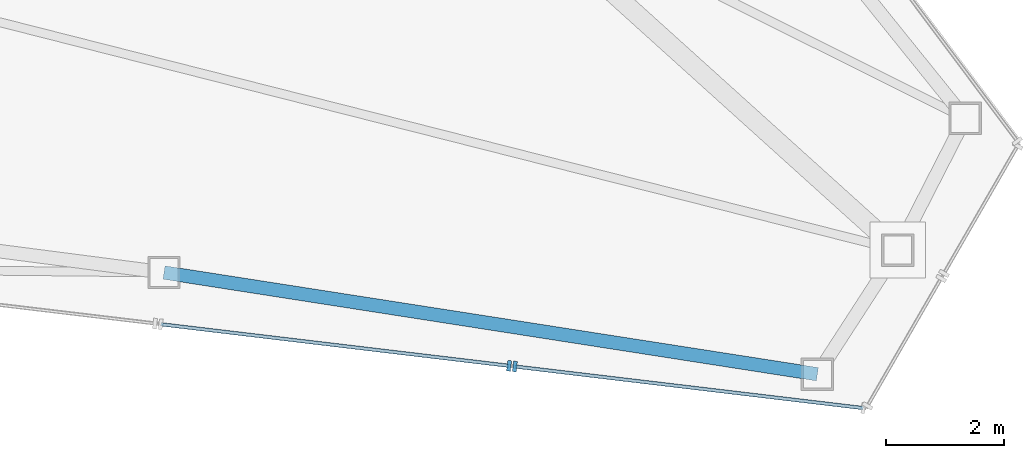
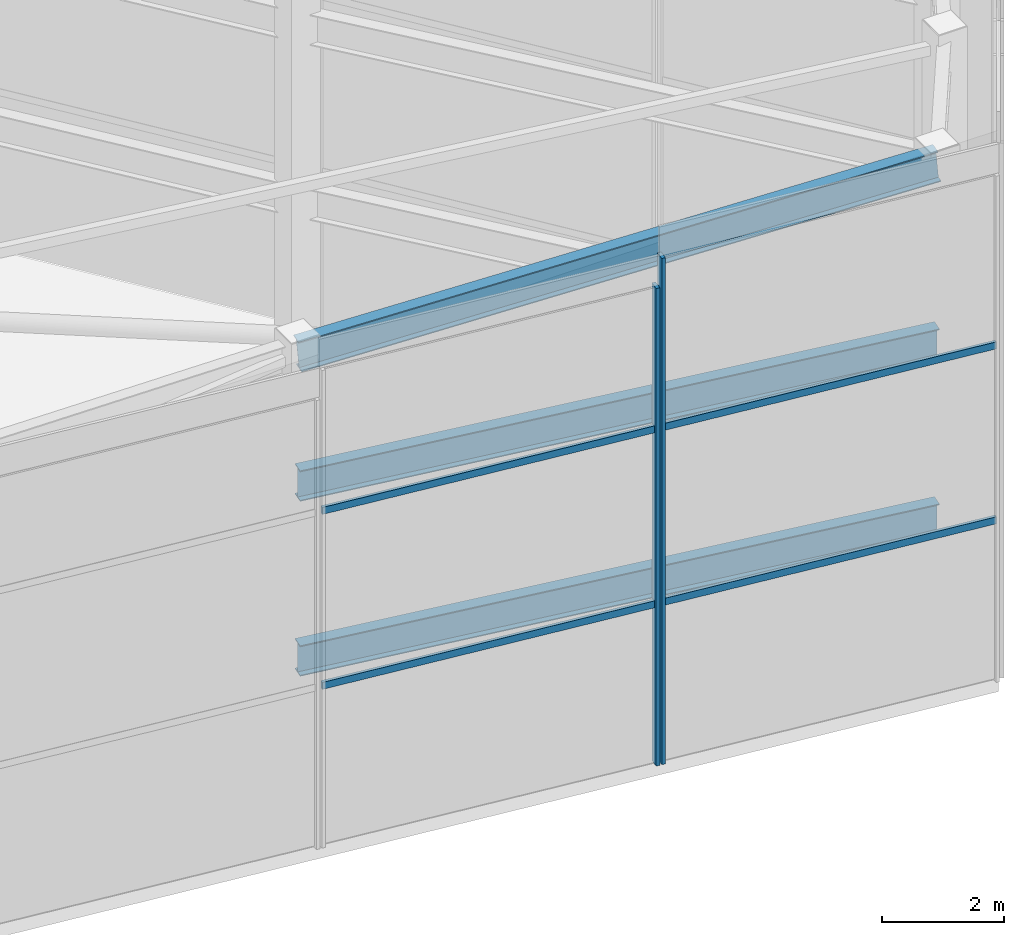
# One storey, part 9 of 17: 6 members, 3 beams, 2 elements without a shape of their own.
"""IFC4 building model written with IfcOpenShell, lengths in metres."""

from ifc_helpers import new_model, si_unit, direction, frame, origin, origin_2d, place, context, subcontext, project, spatial, rectangle, i_section, extrude, source, transform, mapped, material, layer, layer_set, material_profile, profile_set, type_object, type_shapes, element, aggregate, save


model = new_model("IFC4")

# Units and contexts
model_context = context("Model", 3, precision=1e-05, world=origin(), true_north=direction((0.0, 1.0)))
body_context = subcontext(model_context, "Body", "Model", "MODEL_VIEW")
ifc_project = project(units=[si_unit("LENGTHUNIT", "METRE"), si_unit("AREAUNIT", "SQUARE_METRE"), si_unit("VOLUMEUNIT", "CUBIC_METRE"), si_unit("PLANEANGLEUNIT", "RADIAN"), si_unit("MASSUNIT", "GRAM", prefix="KILO")], contexts=[model_context])

# Site, building, storey
site_placement = place(None, origin())
site = spatial("IfcSite", under=ifc_project, at=site_placement, CompositionType="ELEMENT")
building_placement = place(site_placement, origin())
building = spatial("IfcBuilding", under=site, at=building_placement, Name="Varakhsha Concourse Tower", CompositionType="ELEMENT")
storey_placement = place(building_placement, frame((0.0, 0.0, 294.800048828125)))
storey = spatial("IfcBuildingStorey", under=building, at=storey_placement, Name="RF", CompositionType="ELEMENT", Elevation=294.800048828125)

# Beams
ifc_material_1 = material(Name="Structural Steel ASTM A992 Grade 50", Category="steel")
ifc_material_profile_1 = material_profile(ifc_material_1, i_section(OverallWidth=0.22900390625, OverallDepth=0.612060546875, WebThickness=0.011962890625, FlangeThickness=0.02001953125, at=origin_2d()), Name="W24X84")
ifc_profile_set_1 = profile_set([ifc_material_profile_1], Name="Structural Steel ASTM A992 Grade 50")
beam_type = type_object("IfcBeamType", Name="BM-CROWN-W24X84", PredefinedType="BEAM", material=ifc_profile_set_1)
beam_placement = place(storey_placement, frame((52.14013671875, 9.6103515625, 9.280517578125), z_axis=(0.984408658545, -0.153270690014, 0.08629999168), x_axis=(0.153844654224, 0.988095047233, 0.0)))
element("IfcBeam", 1, at=beam_placement, inside=storey, type_object=beam_type, Name="Crown Frame Sloped Cap Ring 12", PredefinedType="BEAM", context=body_context, shape_type="SweptSolid", body=[
    extrude(i_section(OverallWidth=0.22900390625, OverallDepth=0.612060546875, WebThickness=0.011962890625, FlangeThickness=0.02001953125, at=origin_2d()), origin(), (0.0, 0.0, 1.0), 11.279052734375),
])
for number, where, z_axis, x_axis, name in (
    (2, (52.14013671875, 9.6103515625, 3.199951171875), (0.988095047233, -0.153844654224, 0.0), (0.153844654224, 0.988095047233, 0.0), "Crown Frame Ring Tier 1 12"),
    (3, (52.14013671875, 9.6103515625, 6.699951171875), (0.988095047233, -0.153844654224, 0.0), (0.153844654224, 0.988095047233, 0.0), "Crown Frame Ring Tier 2 12"),
):
    element("IfcBeam", number, at=place(storey_placement, frame(where, z_axis=z_axis, x_axis=x_axis)), inside=storey, type_object=beam_type, Name=name, PredefinedType="BEAM", context=body_context, shape_type="SweptSolid", body=[
        extrude(i_section(OverallWidth=0.22900390625, OverallDepth=0.612060546875, WebThickness=0.011962890625, FlangeThickness=0.02001953125, at=origin_2d()), origin(), (0.0, 0.0, 1.0), 11.237060546875),
    ])

# Curtain wall, members
ifc_material_2 = material(Name="Anodised Bronze Architectural Aluminium AA 6063-T6", Category="aluminium")
ifc_layer = layer(ifc_material_2, 0.219970703125, Name="CW-SYS-07")
ifc_layer_set = layer_set([ifc_layer], Name="Anodised Bronze Architectural Aluminium AA 6063-T6")
curtain_wall_type = type_object("IfcCurtainWallType", Name="CW-SYS-07", PredefinedType="NOTDEFINED", material=ifc_layer_set)
curtain_wall_1_placement = place(storey_placement, origin())
curtain_wall_1 = element("IfcCurtainWall", 4, at=curtain_wall_1_placement, inside=storey, type_object=curtain_wall_type, Name="Slanted Crown Curtain Wall F6-S3", PredefinedType="NOTDEFINED")
ifc_material_profile_2 = material_profile(ifc_material_2, rectangle(XDim=0.06005859375, YDim=0.139892578125, at=origin_2d()), Name="CWT-140X60")
ifc_profile_set_2 = profile_set([ifc_material_profile_2], Name="Anodised Bronze Architectural Aluminium AA 6063-T6")
member_type_1 = type_object("IfcMemberType", Name="CWT-140X60", PredefinedType="USERDEFINED", material=ifc_profile_set_2)
shared_shape_1 = source(origin(), body_context, "Body", "SweptSolid", [
    extrude(rectangle(XDim=0.06005859375, YDim=0.139892578125, at=origin_2d()), origin(), (0.0, 0.0, 1.0), 5.960693359375),
])
type_shapes(member_type_1, [shared_shape_1])
member_1_placement = place(storey_placement, frame((58.004150390625, 8.024169921875, 3.199951171875), z_axis=(-0.992950103264, 0.118533085792, 0.0), x_axis=(-0.118533085792, -0.992950103264, 0.0)))
member_1 = element("IfcMember", 5, at=member_1_placement, type_object=member_type_1, Name="CW-RF-F6S3 Transom 01", ObjectType="TRANSOM", PredefinedType="USERDEFINED", context=body_context, shape_type="MappedRepresentation", body=[
    mapped(shared_shape_1, transform((0.0, 0.0, 0.0), scale=1.0)),
])
member_2_placement = place(storey_placement, frame((58.004150390625, 8.024169921875, 6.699951171875), z_axis=(-0.992950103264, 0.118533085792, 0.0), x_axis=(-0.118533085792, -0.992950103264, 0.0)))
member_2 = element("IfcMember", 6, at=member_2_placement, type_object=member_type_1, Name="CW-RF-F6S3 Transom 02", ObjectType="TRANSOM", PredefinedType="USERDEFINED", context=body_context, shape_type="MappedRepresentation", body=[
    mapped(shared_shape_1, transform((0.0, 0.0, 0.0), scale=1.0)),
])

curtain_wall_2_placement = place(storey_placement, origin())
curtain_wall_2 = element("IfcCurtainWall", 7, at=curtain_wall_2_placement, inside=storey, type_object=curtain_wall_type, Name="Slanted Crown Curtain Wall F6-S4", PredefinedType="NOTDEFINED")
member_3_placement = place(storey_placement, frame((64.022216796875, 7.305908203125, 3.199951171875), z_axis=(-0.992950103264, 0.118533085792, 0.0), x_axis=(-0.118533085792, -0.992950103264, 0.0)))
member_3 = element("IfcMember", 8, at=member_3_placement, type_object=member_type_1, Name="CW-RF-F6S4 Transom 01", ObjectType="TRANSOM", PredefinedType="USERDEFINED", context=body_context, shape_type="MappedRepresentation", body=[
    mapped(shared_shape_1, transform((0.0, 0.0, 0.0), scale=1.0)),
])
member_4_placement = place(storey_placement, frame((64.022216796875, 7.305908203125, 6.699951171875), z_axis=(-0.992950103264, 0.118533085792, 0.0), x_axis=(-0.118533085792, -0.992950103264, 0.0)))
member_4 = element("IfcMember", 9, at=member_4_placement, type_object=member_type_1, Name="CW-RF-F6S4 Transom 02", ObjectType="TRANSOM", PredefinedType="USERDEFINED", context=body_context, shape_type="MappedRepresentation", body=[
    mapped(shared_shape_1, transform((0.0, 0.0, 0.0), scale=1.0)),
])

# Member
ifc_material_profile_3 = material_profile(ifc_material_2, rectangle(XDim=0.06494140625, YDim=0.179931640625, at=origin_2d()), Name="CWM-180X65")
ifc_profile_set_3 = profile_set([ifc_material_profile_3], Name="Anodised Bronze Architectural Aluminium AA 6063-T6")
member_type_2 = type_object("IfcMemberType", Name="CWM-180X65", PredefinedType="MULLION", material=ifc_profile_set_3)
shared_shape_2 = source(origin(), body_context, "Body", "SweptSolid", [
    extrude(rectangle(XDim=0.06494140625, YDim=0.179931640625, at=origin_2d()), origin(), (0.0, 0.0, 1.0), 9.556396484375),
])
member_5_placement = place(storey_placement, frame((58.004150390625, 8.024169921875, 0.0), z_axis=(0.0, 0.0, 1.0), x_axis=(-0.992952896591, 0.118509683792, 0.0)))
member_5 = element("IfcMember", 10, at=member_5_placement, type_object=member_type_2, Name="CW-RF-F6S3 Mullion 00", PredefinedType="MULLION", context=body_context, shape_type="MappedRepresentation", body=[
    mapped(shared_shape_2, transform((0.0, 0.0, 0.0), scale=1.0)),
])

aggregate(curtain_wall_1, [member_5, member_1, member_2])

shared_shape_3 = source(origin(), body_context, "Body", "SweptSolid", [
    extrude(rectangle(XDim=0.06494140625, YDim=0.179931640625, at=origin_2d()), origin(), (0.0, 0.0, 1.0), 10.12939453125),
])
type_shapes(member_type_2, [shared_shape_2, shared_shape_3])
member_6_placement = place(storey_placement, frame((58.103515625, 8.012451171875, 0.0), z_axis=(0.0, 0.0, 1.0), x_axis=(-0.992951034922, 0.118525281045, 0.0)))
member_6 = element("IfcMember", 11, at=member_6_placement, type_object=member_type_2, Name="CW-RF-F6S4 Mullion 01", PredefinedType="MULLION", context=body_context, shape_type="MappedRepresentation", body=[
    mapped(shared_shape_3, transform((0.0, 0.0, 0.0), scale=1.0)),
])

aggregate(curtain_wall_2, [member_6, member_3, member_4])

save(model, "model.ifc")
